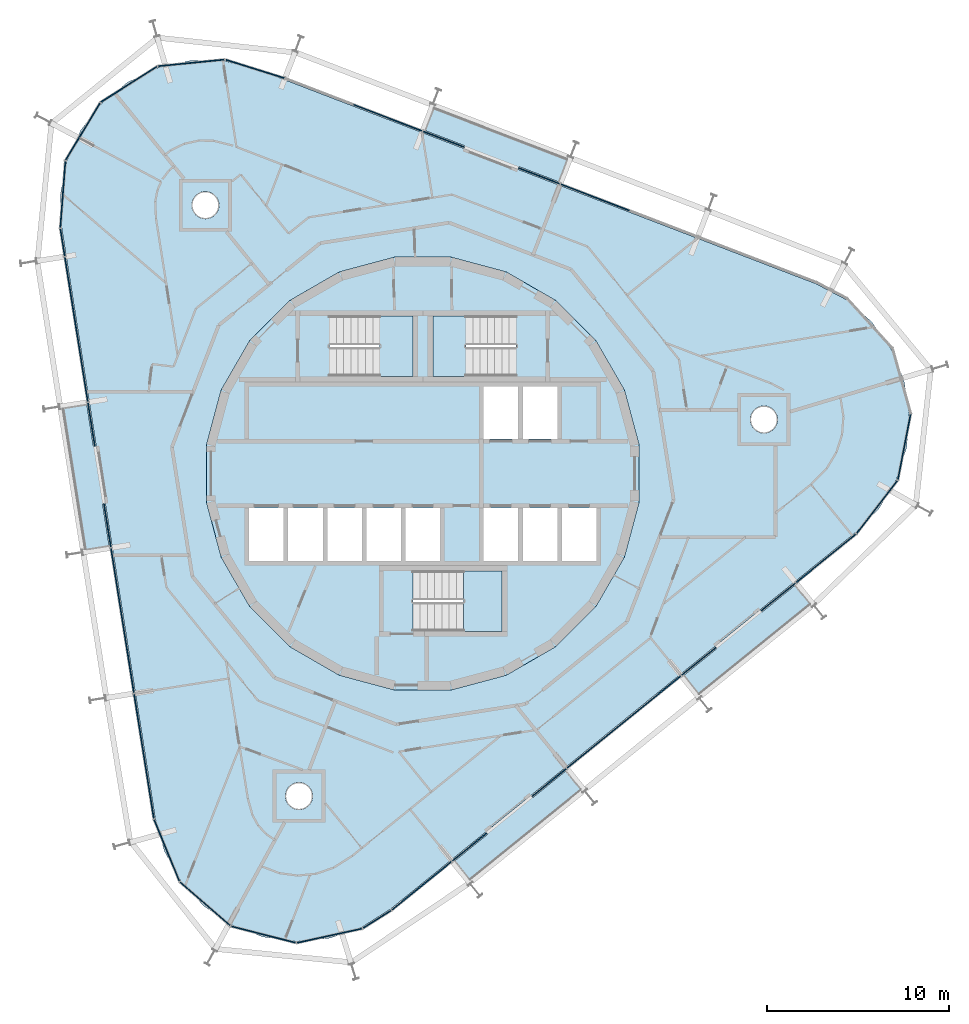
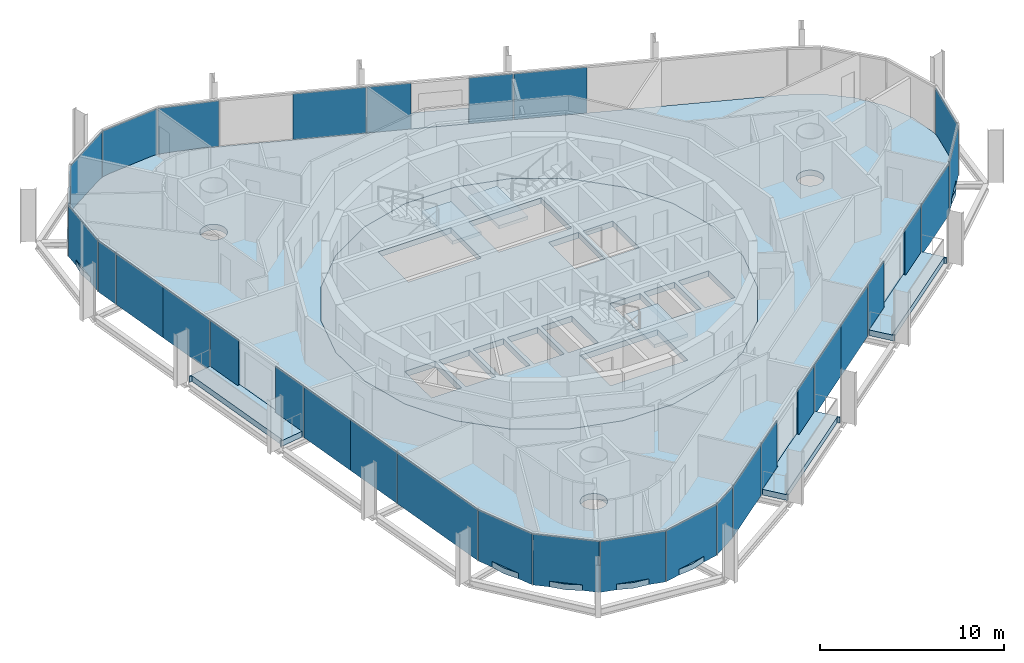
# One storey, part 10 of 17: 32 plates, 9 slabs, 9 elements without a shape of their own.
"""IFC4 building model written with IfcOpenShell, lengths in metres."""

from ifc_helpers import new_model, si_unit, direction, frame, origin, origin_2d, place, context, subcontext, project, spatial, polyline, rectangle, outline, extrude, material, layer, layer_set, type_object, element, aggregate, save


model = new_model("IFC4")

# Units and contexts
model_context = context("Model", 3, precision=1e-05, world=origin(), true_north=direction((0.0, 1.0)))
body_context = subcontext(model_context, "Body", "Model", "MODEL_VIEW")
ifc_project = project(units=[si_unit("LENGTHUNIT", "METRE"), si_unit("AREAUNIT", "SQUARE_METRE"), si_unit("VOLUMEUNIT", "CUBIC_METRE"), si_unit("PLANEANGLEUNIT", "RADIAN"), si_unit("MASSUNIT", "GRAM", prefix="KILO")], contexts=[model_context])

# Site, building, storey
site_placement = place(None, origin())
site = spatial("IfcSite", under=ifc_project, at=site_placement, CompositionType="ELEMENT")
building_placement = place(site_placement, origin())
building = spatial("IfcBuilding", under=site, at=building_placement, Name="Spindle Arch Residences", CompositionType="ELEMENT")
storey_placement = place(building_placement, frame((0.0, 0.0, 270.39990234375)))
storey = spatial("IfcBuildingStorey", under=building, at=storey_placement, Name="L69", CompositionType="ELEMENT", Elevation=270.39990234375)

# Slabs
ifc_material_1 = material(Name="Concrete C40/50", Category="concrete")
ifc_layer_1 = layer(ifc_material_1, 0.3798828125)
ifc_layer_set_1 = layer_set([ifc_layer_1], Name="Balcony slab 380")
slab_type_1 = type_object("IfcSlabType", Name="Balcony slab 380", PredefinedType="FLOOR", material=ifc_layer_set_1)
slab_1_placement = place(storey_placement, frame((0.0, 0.0, -0.3798828125)))
element("IfcSlab", 1, at=slab_1_placement, inside=storey, type_object=slab_type_1, Name="Balcony L69 bay 1", PredefinedType="FLOOR", context=body_context, shape_type="SweptSolid", body=[
    extrude(outline(polyline([(15.258056640625, -12.28125), (15.31640625, -12.234130859375), (15.221923828125, -12.11767578125), (21.28955078125, -7.2041015625), (21.384033203125, -7.32080078125), (21.442138671875, -7.2734375), (20.504638671875, -6.115478515625), (18.65576171875, -7.612548828125), (18.55517578125, -7.48828125), (16.068359375, -9.501953125), (16.1689453125, -9.62646484375), (14.3203125, -11.12353515625), (15.258056640625, -12.28125)])), origin(), (0.0, 0.0, 1.0), 0.3798828125),
])
slab_2_placement = place(storey_placement, frame((0.0, 0.0, -0.3798828125)))
element("IfcSlab", 2, at=slab_2_placement, inside=storey, type_object=slab_type_1, Name="Balcony L69 bay 7", PredefinedType="FLOOR", context=body_context, shape_type="SweptSolid", body=[
    extrude(outline(polyline([(8.052978515625, 17.41748046875), (7.98291015625, 17.4443359375), (7.92919921875, 17.304443359375), (0.64013671875, 20.102294921875), (0.694091796875, 20.242431640625), (0.6240234375, 20.269287109375), (0.090087890625, 18.878173828125), (2.310791015625, 18.025634765625), (2.25341796875, 17.87646484375), (5.240966796875, 16.7294921875), (5.29833984375, 16.87890625), (7.51904296875, 16.0263671875), (8.052978515625, 17.41748046875)])), origin(), (0.0, 0.0, 1.0), 0.3798828125),
])
slab_3_placement = place(storey_placement, frame((0.0, 0.0, -0.3798828125)))
element("IfcSlab", 3, at=slab_3_placement, inside=storey, type_object=slab_type_1, Name="Balcony L69 bay 13", PredefinedType="FLOOR", context=body_context, shape_type="SweptSolid", body=[
    extrude(outline(polyline([(-19.9560546875, 3.603759765625), (-19.9443359375, 3.52978515625), (-19.796142578125, 3.55322265625), (-18.57470703125, -4.158203125), (-18.722900390625, -4.181640625), (-18.711181640625, -4.255859375), (-17.239501953125, -4.022705078125), (-17.611572265625, -1.673095703125), (-17.45361328125, -1.648193359375), (-17.954345703125, 1.512451171875), (-18.1123046875, 1.487548828125), (-18.484375, 3.8369140625), (-19.9560546875, 3.603759765625)])), origin(), (0.0, 0.0, 1.0), 0.3798828125),
])
slab_4_placement = place(storey_placement, frame((0.0, 0.0, -0.3798828125)))
element("IfcSlab", 4, at=slab_4_placement, inside=storey, type_object=slab_type_1, Name="Balcony L69 bay 19", PredefinedType="FLOOR", context=body_context, shape_type="SweptSolid", body=[
    extrude(outline(polyline([(2.656494140625, -22.48583984375), (2.71484375, -22.438720703125), (2.620361328125, -22.322021484375), (8.68798828125, -17.40869140625), (8.782470703125, -17.525146484375), (8.840576171875, -17.47802734375), (7.903076171875, -16.320068359375), (6.05419921875, -17.817138671875), (5.95361328125, -17.69287109375), (3.466796875, -19.70654296875), (3.5673828125, -19.8310546875), (1.71875, -21.327880859375), (2.656494140625, -22.48583984375)])), origin(), (0.0, 0.0, 1.0), 0.3798828125),
])
ifc_material_2 = material(Name="Concrete C50/60", Category="concrete")
ifc_layer_2 = layer(ifc_material_2, 0.3798828125)
ifc_layer_set_2 = layer_set([ifc_layer_2], Name="Core floor slab 380")
slab_type_2 = type_object("IfcSlabType", Name="Core floor slab 380", PredefinedType="FLOOR", material=ifc_layer_set_2)
slab_5_placement = place(storey_placement, frame((0.0, 0.0, -0.3798828125)))
element("IfcSlab", 5, at=slab_5_placement, inside=storey, type_object=slab_type_2, Name="Core floor L69", PredefinedType="FLOOR", context=body_context, shape_type="SweptSolid", body=[
    extrude(outline(polyline([(1.56640625, -11.897216796875), (4.59228515625, -11.086669921875), (7.30517578125, -9.520263671875), (9.520263671875, -7.30517578125), (11.086669921875, -4.59228515625), (11.897216796875, -1.56640625), (11.897216796875, 1.56640625), (11.086669921875, 4.59228515625), (9.520263671875, 7.30517578125), (7.30517578125, 9.520263671875), (4.59228515625, 11.086669921875), (1.56640625, 11.897216796875), (-1.56640625, 11.897216796875), (-4.59228515625, 11.086669921875), (-7.30517578125, 9.520263671875), (-9.520263671875, 7.30517578125), (-11.086669921875, 4.59228515625), (-11.897216796875, 1.56640625), (-11.897216796875, -1.56640625), (-11.086669921875, -4.59228515625), (-9.520263671875, -7.30517578125), (-7.30517578125, -9.520263671875), (-4.59228515625, -11.086669921875), (-1.56640625, -11.897216796875), (1.56640625, -11.897216796875)]), holes=[polyline([(3.35009765625, 1.89990234375), (5.25, 1.89990234375), (5.25, 4.800048828125), (3.35009765625, 4.800048828125), (3.35009765625, 1.89990234375)]), polyline([(5.5, 1.89990234375), (7.39990234375, 1.89990234375), (7.39990234375, 4.800048828125), (5.5, 4.800048828125), (5.5, 1.89990234375)]), polyline([(-9.550048828125, -4.800048828125), (-7.64990234375, -4.800048828125), (-7.64990234375, -1.89990234375), (-9.550048828125, -1.89990234375), (-9.550048828125, -4.800048828125)]), polyline([(-7.39990234375, -4.800048828125), (-5.5, -4.800048828125), (-5.5, -1.89990234375), (-7.39990234375, -1.89990234375), (-7.39990234375, -4.800048828125)]), polyline([(-5.25, -4.800048828125), (-3.35009765625, -4.800048828125), (-3.35009765625, -1.89990234375), (-5.25, -1.89990234375), (-5.25, -4.800048828125)]), polyline([(-3.10009765625, -4.800048828125), (-1.199951171875, -4.800048828125), (-1.199951171875, -1.89990234375), (-3.10009765625, -1.89990234375), (-3.10009765625, -4.800048828125)]), polyline([(-0.949951171875, -4.800048828125), (0.949951171875, -4.800048828125), (0.949951171875, -1.89990234375), (-0.949951171875, -1.89990234375), (-0.949951171875, -4.800048828125)]), polyline([(3.35009765625, -4.800048828125), (5.25, -4.800048828125), (5.25, -1.89990234375), (3.35009765625, -1.89990234375), (3.35009765625, -4.800048828125)]), polyline([(5.5, -4.800048828125), (7.39990234375, -4.800048828125), (7.39990234375, -1.89990234375), (5.5, -1.89990234375), (5.5, -4.800048828125)]), polyline([(7.64990234375, -4.800048828125), (9.550048828125, -4.800048828125), (9.550048828125, -1.89990234375), (7.64990234375, -1.89990234375), (7.64990234375, -4.800048828125)]), polyline([(5.1298828125, 8.669921875), (0.550048828125, 8.669921875), (0.550048828125, 5.35009765625), (5.1298828125, 5.35009765625), (5.1298828125, 8.669921875)]), polyline([(-5.1298828125, 5.35009765625), (-0.550048828125, 5.35009765625), (-0.550048828125, 8.669921875), (-5.1298828125, 8.669921875), (-5.1298828125, 5.35009765625)]), polyline([(-0.530029296875, -8.669921875), (4.35009765625, -8.669921875), (4.35009765625, -5.35009765625), (-0.530029296875, -5.35009765625), (-0.530029296875, -8.669921875)])]), origin(), (0.0, 0.0, 1.0), 0.3798828125),
])

# Stair, slab
ifc_material_3 = material(Name="Concrete C50/60", Category="concrete")
stair_type = type_object("IfcStairType", Name="Exit stair 16 risers", PredefinedType="HALF_TURN_STAIR", material=ifc_material_3)
stair_1_placement = place(storey_placement, origin())
stair_1 = element("IfcStair", 6, at=stair_1_placement, inside=storey, type_object=stair_type, Name="L69 Exit stair ST1", PredefinedType="HALF_TURN_STAIR")
ifc_material_4 = material(Name="Concrete C50/60", Category="concrete")
ifc_layer_3 = layer(ifc_material_4, 0.219970703125)
ifc_layer_set_3 = layer_set([ifc_layer_3], Name="Exit stair landing 220")
slab_type_3 = type_object("IfcSlabType", Name="Exit stair landing 220", PredefinedType="LANDING", material=ifc_layer_set_3)
slab_6_placement = place(storey_placement, frame((0.0, 0.0, 1.530029296875)))
slab_6 = element("IfcSlab", 7, at=slab_6_placement, type_object=slab_type_3, Name="ST1 landing 1", PredefinedType="LANDING", context=body_context, shape_type="SweptSolid", body=[
    extrude(outline(polyline([(2.3701171875, 8.669921875), (0.550048828125, 8.669921875), (0.550048828125, 5.35009765625), (2.3701171875, 5.35009765625), (2.3701171875, 8.669921875)])), origin(), (0.0, 0.0, 1.0), 0.219970703125),
])
aggregate(stair_1, [slab_6])

stair_2_placement = place(storey_placement, origin())
stair_2 = element("IfcStair", 8, at=stair_2_placement, inside=storey, type_object=stair_type, Name="L69 Exit stair ST2", PredefinedType="HALF_TURN_STAIR")
slab_7_placement = place(storey_placement, frame((0.0, 0.0, 1.530029296875)))
slab_7 = element("IfcSlab", 9, at=slab_7_placement, type_object=slab_type_3, Name="ST2 landing 1", PredefinedType="LANDING", context=body_context, shape_type="SweptSolid", body=[
    extrude(outline(polyline([(-2.3701171875, 5.35009765625), (-0.550048828125, 5.35009765625), (-0.550048828125, 8.669921875), (-2.3701171875, 8.669921875), (-2.3701171875, 5.35009765625)])), origin(), (0.0, 0.0, 1.0), 0.219970703125),
])
aggregate(stair_2, [slab_7])

stair_3_placement = place(storey_placement, origin())
stair_3 = element("IfcStair", 10, at=stair_3_placement, inside=storey, type_object=stair_type, Name="L69 Exit stair ST3", PredefinedType="HALF_TURN_STAIR")
slab_8_placement = place(storey_placement, frame((0.0, 0.0, 1.530029296875)))
slab_8 = element("IfcSlab", 11, at=slab_8_placement, type_object=slab_type_3, Name="ST3 landing 1", PredefinedType="LANDING", context=body_context, shape_type="SweptSolid", body=[
    extrude(outline(polyline([(2.22998046875, -8.669921875), (4.35009765625, -8.669921875), (4.35009765625, -5.35009765625), (2.22998046875, -5.35009765625), (2.22998046875, -8.669921875)])), origin(), (0.0, 0.0, 1.0), 0.219970703125),
])
aggregate(stair_3, [slab_8])

# Slab
ifc_material_5 = material(Name="Concrete C40/50", Category="concrete")
ifc_layer_4 = layer(ifc_material_5, 0.3798828125)
ifc_layer_set_4 = layer_set([ifc_layer_4], Name="Floor slab 380")
slab_type_4 = type_object("IfcSlabType", Name="Floor slab 380", PredefinedType="FLOOR", material=ifc_layer_set_4)
slab_9_placement = place(storey_placement, frame((0.0, 0.0, -0.3798828125)))
element("IfcSlab", 12, at=slab_9_placement, inside=storey, type_object=slab_type_4, Name="Floor slab L69", PredefinedType="FLOOR", context=body_context, shape_type="SweptSolid", body=[
    extrude(outline(polyline([(-3.341552734375, -24.9423828125), (-5.097900390625, -25.547119140625), (-6.9462890625, -25.73046875), (-8.787109375, -25.482666015625), (-10.521240234375, -24.81689453125), (-12.054931640625, -23.769287109375), (-13.305908203125, -22.396240234375), (-14.20654296875, -20.771484375), (-14.7080078125, -18.983154296875), (-19.854248046875, 13.509033203125), (-19.929931640625, 15.364990234375), (-19.575439453125, 17.188232421875), (-18.81005859375, 18.880859375), (-17.675048828125, 20.35107421875), (-16.231689453125, 21.52001953125), (-14.557373046875, 22.32470703125), (-12.74267578125, 22.721435546875), (-10.885498046875, 22.68896484375), (-9.0859375, 22.22900390625), (21.626220703125, 10.439697265625), (23.271484375, 9.577392578125), (24.67333984375, 8.358642578125), (25.75634765625, 6.849609375), (26.462158203125, 5.131591796875), (26.752685546875, 3.296875), (26.6123046875, 1.444580078125), (26.048583984375, -0.3251953125), (25.092041015625, -1.917236328125), (23.7939453125, -3.24609375), (11.010986328125, -13.597412109375), (-1.77197265625, -23.94873046875), (-3.341552734375, -24.9423828125)]), holes=[polyline([(7.30517578125, -9.520263671875), (9.520263671875, -7.30517578125), (11.086669921875, -4.59228515625), (11.897216796875, -1.56640625), (11.897216796875, 1.56640625), (11.086669921875, 4.59228515625), (9.520263671875, 7.30517578125), (7.30517578125, 9.520263671875), (4.59228515625, 11.086669921875), (1.56640625, 11.897216796875), (-1.56640625, 11.897216796875), (-4.59228515625, 11.086669921875), (-7.30517578125, 9.520263671875), (-9.520263671875, 7.30517578125), (-11.086669921875, 4.59228515625), (-11.897216796875, 1.56640625), (-11.897216796875, -1.56640625), (-11.086669921875, -4.59228515625), (-9.520263671875, -7.30517578125), (-7.30517578125, -9.520263671875), (-4.59228515625, -11.086669921875), (-1.56640625, -11.897216796875), (1.56640625, -11.897216796875), (4.59228515625, -11.086669921875), (7.30517578125, -9.520263671875)]), polyline([(-6.2763671875, -18.261962890625), (-6.18310546875, -18.1484375), (-6.11376953125, -18.018798828125), (-6.071044921875, -17.8779296875), (-6.056640625, -17.731689453125), (-6.071044921875, -17.58544921875), (-6.11376953125, -17.444580078125), (-6.18310546875, -17.31494140625), (-6.2763671875, -17.201416015625), (-6.389892578125, -17.108154296875), (-6.51953125, -17.038818359375), (-6.660400390625, -16.99609375), (-6.806640625, -16.981689453125), (-6.952880859375, -16.99609375), (-7.093505859375, -17.038818359375), (-7.223388671875, -17.108154296875), (-7.3369140625, -17.201416015625), (-7.43017578125, -17.31494140625), (-7.49951171875, -17.444580078125), (-7.542236328125, -17.58544921875), (-7.556640625, -17.731689453125), (-7.542236328125, -17.8779296875), (-7.49951171875, -18.018798828125), (-7.43017578125, -18.1484375), (-7.3369140625, -18.261962890625), (-7.223388671875, -18.355224609375), (-7.093505859375, -18.424560546875), (-6.952880859375, -18.46728515625), (-6.806640625, -18.481689453125), (-6.660400390625, -18.46728515625), (-6.51953125, -18.424560546875), (-6.389892578125, -18.355224609375), (-6.2763671875, -18.261962890625)]), polyline([(-11.3291015625, 14.34375), (-11.260009765625, 14.473388671875), (-11.21728515625, 14.6142578125), (-11.202880859375, 14.760498046875), (-11.21728515625, 14.90673828125), (-11.260009765625, 15.047607421875), (-11.3291015625, 15.17724609375), (-11.422607421875, 15.290771484375), (-11.5361328125, 15.384033203125), (-11.665771484375, 15.453369140625), (-11.806396484375, 15.49609375), (-11.952880859375, 15.510498046875), (-12.09912109375, 15.49609375), (-12.23974609375, 15.453369140625), (-12.369384765625, 15.384033203125), (-12.483154296875, 15.290771484375), (-12.576416015625, 15.17724609375), (-12.645751953125, 15.047607421875), (-12.6884765625, 14.90673828125), (-12.702880859375, 14.760498046875), (-12.6884765625, 14.6142578125), (-12.645751953125, 14.473388671875), (-12.576416015625, 14.34375), (-12.483154296875, 14.230224609375), (-12.369384765625, 14.136962890625), (-12.23974609375, 14.067626953125), (-12.09912109375, 14.02490234375), (-11.952880859375, 14.010498046875), (-11.806396484375, 14.02490234375), (-11.665771484375, 14.067626953125), (-11.5361328125, 14.136962890625), (-11.422607421875, 14.230224609375), (-11.3291015625, 14.34375)]), polyline([(19.383056640625, 2.554443359375), (19.452392578125, 2.68408203125), (19.4951171875, 2.824951171875), (19.509521484375, 2.97119140625), (19.4951171875, 3.117431640625), (19.452392578125, 3.25830078125), (19.383056640625, 3.387939453125), (19.289794921875, 3.50146484375), (19.176025390625, 3.5947265625), (19.04638671875, 3.6640625), (18.90576171875, 3.706787109375), (18.759521484375, 3.72119140625), (18.613037109375, 3.706787109375), (18.472412109375, 3.6640625), (18.3427734375, 3.5947265625), (18.22900390625, 3.50146484375), (18.1357421875, 3.387939453125), (18.06640625, 3.25830078125), (18.023681640625, 3.117431640625), (18.009521484375, 2.97119140625), (18.023681640625, 2.824951171875), (18.06640625, 2.68408203125), (18.1357421875, 2.554443359375), (18.22900390625, 2.44091796875), (18.3427734375, 2.34765625), (18.472412109375, 2.2783203125), (18.613037109375, 2.235595703125), (18.759521484375, 2.22119140625), (18.90576171875, 2.235595703125), (19.04638671875, 2.2783203125), (19.176025390625, 2.34765625), (19.289794921875, 2.44091796875), (19.383056640625, 2.554443359375)])]), origin(), (0.0, 0.0, 1.0), 0.3798828125),
])

# Curtain wall, plates
ifc_material_6 = material(Name="Aluminium bronze unitised frame with tinted glass", Category="aluminium")
ifc_layer_5 = layer(ifc_material_6, 0.159912109375)
ifc_layer_set_5 = layer_set([ifc_layer_5], Name="CW-D corner wall on the fillet arcs")
curtain_wall_type_1 = type_object("IfcCurtainWallType", Name="CW-D corner wall on the fillet arcs", PredefinedType="NOTDEFINED", material=ifc_layer_set_5)
curtain_wall_1_placement = place(storey_placement, origin())
curtain_wall_1 = element("IfcCurtainWall", 13, at=curtain_wall_1_placement, inside=storey, type_object=curtain_wall_type_1, Name="CW-D L69 run 1", PredefinedType="NOTDEFINED")
ifc_material_7 = material(Name="Tinted double glazing over aluminium faced non-combustible spandrel zone (K0)", Category="aluminium")
ifc_layer_6 = layer(ifc_material_7, 0.06005859375)
ifc_layer_set_6 = layer_set([ifc_layer_6], Name="Unitised glass panel with E 60 spandrel zone")
plate_type = type_object("IfcPlateType", Name="Unitised glass panel with E 60 spandrel zone", PredefinedType="CURTAIN_PANEL", material=ifc_layer_set_6)
plate_1_placement = place(storey_placement, frame((22.178466796875, -4.6572265625, -0.3798828125), z_axis=(0.0, 0.0, 1.0), x_axis=(0.777145961457, 0.62932039105, 0.0)))
plate_1 = element("IfcPlate", 14, at=plate_1_placement, type_object=plate_type, Name="CW-D unit 00", PredefinedType="CURTAIN_PANEL", context=body_context, shape_type="SweptSolid", body=[
    extrude(rectangle(XDim=4.227294921875, YDim=0.06005859375, at=origin_2d()), origin(), (0.0, 0.0, 1.0), 3.3798828125),
])
plate_2_placement = place(storey_placement, frame((24.98291015625, -1.833251953125, -0.3798828125), z_axis=(0.0, 0.0, 1.0), x_axis=(0.611066622764, 0.791579170105, 0.0)))
plate_2 = element("IfcPlate", 15, at=plate_2_placement, type_object=plate_type, Name="CW-D unit 01", PredefinedType="CURTAIN_PANEL", context=body_context, shape_type="SweptSolid", body=[
    extrude(rectangle(XDim=3.666748046875, YDim=0.06005859375, at=origin_2d()), origin(), (0.0, 0.0, 1.0), 3.3798828125),
])
plate_3_placement = place(storey_placement, frame((26.47705078125, 1.470947265625, -0.3798828125), z_axis=(0.0, 0.0, 1.0), x_axis=(0.190808994811, 0.981627183558, 0.0)))
plate_3 = element("IfcPlate", 16, at=plate_3_placement, type_object=plate_type, Name="CW-D unit 02", PredefinedType="CURTAIN_PANEL", context=body_context, shape_type="SweptSolid", body=[
    extrude(rectangle(XDim=3.666748046875, YDim=0.06005859375, at=origin_2d()), origin(), (0.0, 0.0, 1.0), 3.3798828125),
])
aggregate(curtain_wall_1, [plate_1, plate_2, plate_3])

ifc_material_8 = material(Name="Aluminium bronze unitised frame with tinted glass", Category="aluminium")
ifc_layer_7 = layer(ifc_material_8, 0.159912109375)
ifc_layer_set_7 = layer_set([ifc_layer_7], Name="CW-C typical residential unitised wall")
curtain_wall_type_2 = type_object("IfcCurtainWallType", Name="CW-C typical residential unitised wall", PredefinedType="NOTDEFINED", material=ifc_layer_set_7)
curtain_wall_2_placement = place(storey_placement, origin())
curtain_wall_2 = element("IfcCurtainWall", 17, at=curtain_wall_2_placement, inside=storey, type_object=curtain_wall_type_2, Name="CW-C L69 run 2", PredefinedType="NOTDEFINED")
plate_4_placement = place(storey_placement, frame((9.466796875, 15.193115234375, -0.3798828125), z_axis=(0.0, 0.0, 1.0), x_axis=(-0.933580426497, 0.358367949545, 0.0)))
plate_4 = element("IfcPlate", 18, at=plate_4_placement, type_object=plate_type, Name="CW-C unit 05B", PredefinedType="CURTAIN_PANEL", context=body_context, shape_type="SweptSolid", body=[
    extrude(rectangle(XDim=4.023681640625, YDim=0.06005859375, at=origin_2d()), origin(), (0.0, 0.0, 1.0), 3.3798828125),
])
plate_5_placement = place(storey_placement, frame((6.40087890625, 16.369873046875, -0.3798828125), z_axis=(0.0, 0.0, 1.0), x_axis=(-0.933580426497, 0.358367949545, 0.0)))
plate_5 = element("IfcPlate", 19, at=plate_5_placement, type_object=plate_type, Name="CW-C unit 06L", PredefinedType="CURTAIN_PANEL", context=body_context, shape_type="SweptSolid", body=[
    extrude(rectangle(XDim=2.423828125, YDim=0.06005859375, at=origin_2d()), origin(), (0.0, 0.0, 1.0), 3.3798828125),
])
plate_6_placement = place(storey_placement, frame((1.150634765625, 18.38525390625, -0.3798828125), z_axis=(0.0, 0.0, 1.0), x_axis=(-0.933580426497, 0.358367949545, 0.0)))
plate_6 = element("IfcPlate", 20, at=plate_6_placement, type_object=plate_type, Name="CW-C unit 06R", PredefinedType="CURTAIN_PANEL", context=body_context, shape_type="SweptSolid", body=[
    extrude(rectangle(XDim=2.423828125, YDim=0.06005859375, at=origin_2d()), origin(), (0.0, 0.0, 1.0), 3.3798828125),
])
plate_7_placement = place(storey_placement, frame((-1.9150390625, 19.562255859375, -0.3798828125), z_axis=(0.0, 0.0, 1.0), x_axis=(-0.933580426497, 0.358367949545, 0.0)))
plate_7 = element("IfcPlate", 21, at=plate_7_placement, type_object=plate_type, Name="CW-C unit 07A", PredefinedType="CURTAIN_PANEL", context=body_context, shape_type="SweptSolid", body=[
    extrude(rectangle(XDim=4.023681640625, YDim=0.06005859375, at=origin_2d()), origin(), (0.0, 0.0, 1.0), 3.3798828125),
])
aggregate(curtain_wall_2, [plate_4, plate_5, plate_6, plate_7])

curtain_wall_3_placement = place(storey_placement, origin())
curtain_wall_3 = element("IfcCurtainWall", 22, at=curtain_wall_3_placement, inside=storey, type_object=curtain_wall_type_1, Name="CW-D L69 run 3", PredefinedType="NOTDEFINED")
plate_8_placement = place(storey_placement, frame((-9.226318359375, 22.252197265625, -0.3798828125), z_axis=(0.0, 0.0, 1.0), x_axis=(-0.954314920262, 0.298802665594, 0.0)))
plate_8 = element("IfcPlate", 23, at=plate_8_placement, type_object=plate_type, Name="CW-D unit 00", PredefinedType="CURTAIN_PANEL", context=body_context, shape_type="SweptSolid", body=[
    extrude(rectangle(XDim=3.39501953125, YDim=0.06005859375, at=origin_2d()), origin(), (0.0, 0.0, 1.0), 3.3798828125),
])
plate_9_placement = place(storey_placement, frame((-12.729248046875, 22.584228515625, -0.3798828125), z_axis=(0.0, 0.0, 1.0), x_axis=(-0.995113183485, -0.098740832762, 0.0)))
plate_9 = element("IfcPlate", 24, at=plate_9_placement, type_object=plate_type, Name="CW-D unit 01", PredefinedType="CURTAIN_PANEL", context=body_context, shape_type="SweptSolid", body=[
    extrude(rectangle(XDim=3.666748046875, YDim=0.06005859375, at=origin_2d()), origin(), (0.0, 0.0, 1.0), 3.3798828125),
])
plate_10_placement = place(storey_placement, frame((-16.157958984375, 21.403564453125, -0.3798828125), z_axis=(0.0, 0.0, 1.0), x_axis=(-0.844950814707, -0.534844015322, 0.0)))
plate_10 = element("IfcPlate", 25, at=plate_10_placement, type_object=plate_type, Name="CW-D unit 02", PredefinedType="CURTAIN_PANEL", context=body_context, shape_type="SweptSolid", body=[
    extrude(rectangle(XDim=3.666748046875, YDim=0.06005859375, at=origin_2d()), origin(), (0.0, 0.0, 1.0), 3.3798828125),
])
plate_11_placement = place(storey_placement, frame((-18.692138671875, 18.809814453125, -0.3798828125), z_axis=(0.0, 0.0, 1.0), x_axis=(-0.515038072875, -0.857167301925, 0.0)))
plate_11 = element("IfcPlate", 26, at=plate_11_placement, type_object=plate_type, Name="CW-D unit 03", PredefinedType="CURTAIN_PANEL", context=body_context, shape_type="SweptSolid", body=[
    extrude(rectangle(XDim=3.666748046875, YDim=0.06005859375, at=origin_2d()), origin(), (0.0, 0.0, 1.0), 3.3798828125),
])
plate_12_placement = place(storey_placement, frame((-19.79248046875, 15.3544921875, -0.3798828125), z_axis=(0.0, 0.0, 1.0), x_axis=(-0.07555884997, -0.997141344139, 0.0)))
plate_12 = element("IfcPlate", 27, at=plate_12_placement, type_object=plate_type, Name="CW-D unit 04", PredefinedType="CURTAIN_PANEL", context=body_context, shape_type="SweptSolid", body=[
    extrude(rectangle(XDim=3.666748046875, YDim=0.06005859375, at=origin_2d()), origin(), (0.0, 0.0, 1.0), 3.3798828125),
])
plate_13_placement = place(storey_placement, frame((-19.809326171875, 12.7138671875, -0.3798828125), z_axis=(0.0, 0.0, 1.0), x_axis=(0.15643446504, -0.987688340595, 0.0)))
plate_13 = element("IfcPlate", 28, at=plate_13_placement, type_object=plate_type, Name="CW-D unit 05", PredefinedType="CURTAIN_PANEL", context=body_context, shape_type="SweptSolid", body=[
    extrude(rectangle(XDim=1.524658203125, YDim=0.06005859375, at=origin_2d()), origin(), (0.0, 0.0, 1.0), 3.3798828125),
])
aggregate(curtain_wall_3, [plate_8, plate_9, plate_10, plate_11, plate_12, plate_13])

curtain_wall_4_placement = place(storey_placement, origin())
curtain_wall_4 = element("IfcCurtainWall", 29, at=curtain_wall_4_placement, inside=storey, type_object=curtain_wall_type_2, Name="CW-C L69 run 4", PredefinedType="NOTDEFINED")
plate_14_placement = place(storey_placement, frame((-19.365966796875, 9.91455078125, -0.3798828125), z_axis=(0.0, 0.0, 1.0), x_axis=(0.15643446504, -0.987688340595, 0.0)))
plate_14 = element("IfcPlate", 30, at=plate_14_placement, type_object=plate_type, Name="CW-C unit 11A", PredefinedType="CURTAIN_PANEL", context=body_context, shape_type="SweptSolid", body=[
    extrude(rectangle(XDim=4.023681640625, YDim=0.06005859375, at=origin_2d()), origin(), (0.0, 0.0, 1.0), 3.3798828125),
])
plate_15_placement = place(storey_placement, frame((-18.736572265625, 5.9404296875, -0.3798828125), z_axis=(0.0, 0.0, 1.0), x_axis=(0.15643446504, -0.987688340595, 0.0)))
plate_15 = element("IfcPlate", 31, at=plate_15_placement, type_object=plate_type, Name="CW-C unit 11B", PredefinedType="CURTAIN_PANEL", context=body_context, shape_type="SweptSolid", body=[
    extrude(rectangle(XDim=4.023681640625, YDim=0.06005859375, at=origin_2d()), origin(), (0.0, 0.0, 1.0), 3.3798828125),
])
plate_16_placement = place(storey_placement, frame((-18.222900390625, 2.697021484375, -0.3798828125), z_axis=(0.0, 0.0, 1.0), x_axis=(0.15643446504, -0.987688340595, 0.0)))
plate_16 = element("IfcPlate", 32, at=plate_16_placement, type_object=plate_type, Name="CW-C unit 12L", PredefinedType="CURTAIN_PANEL", context=body_context, shape_type="SweptSolid", body=[
    extrude(rectangle(XDim=2.423828125, YDim=0.06005859375, at=origin_2d()), origin(), (0.0, 0.0, 1.0), 3.3798828125),
])
plate_17_placement = place(storey_placement, frame((-17.343017578125, -2.857666015625, -0.3798828125), z_axis=(0.0, 0.0, 1.0), x_axis=(0.15643446504, -0.987688340595, 0.0)))
plate_17 = element("IfcPlate", 33, at=plate_17_placement, type_object=plate_type, Name="CW-C unit 12R", PredefinedType="CURTAIN_PANEL", context=body_context, shape_type="SweptSolid", body=[
    extrude(rectangle(XDim=2.423828125, YDim=0.06005859375, at=origin_2d()), origin(), (0.0, 0.0, 1.0), 3.3798828125),
])
plate_18_placement = place(storey_placement, frame((-16.829345703125, -6.10107421875, -0.3798828125), z_axis=(0.0, 0.0, 1.0), x_axis=(0.15643446504, -0.987688340595, 0.0)))
plate_18 = element("IfcPlate", 34, at=plate_18_placement, type_object=plate_type, Name="CW-C unit 13A", PredefinedType="CURTAIN_PANEL", context=body_context, shape_type="SweptSolid", body=[
    extrude(rectangle(XDim=4.023681640625, YDim=0.06005859375, at=origin_2d()), origin(), (0.0, 0.0, 1.0), 3.3798828125),
])
plate_19_placement = place(storey_placement, frame((-16.199951171875, -10.0751953125, -0.3798828125), z_axis=(0.0, 0.0, 1.0), x_axis=(0.15643446504, -0.987688340595, 0.0)))
plate_19 = element("IfcPlate", 35, at=plate_19_placement, type_object=plate_type, Name="CW-C unit 13B", PredefinedType="CURTAIN_PANEL", context=body_context, shape_type="SweptSolid", body=[
    extrude(rectangle(XDim=4.023681640625, YDim=0.06005859375, at=origin_2d()), origin(), (0.0, 0.0, 1.0), 3.3798828125),
])
aggregate(curtain_wall_4, [plate_14, plate_15, plate_16, plate_17, plate_18, plate_19])

curtain_wall_5_placement = place(storey_placement, origin())
curtain_wall_5 = element("IfcCurtainWall", 36, at=curtain_wall_5_placement, inside=storey, type_object=curtain_wall_type_1, Name="CW-D L69 run 5", PredefinedType="NOTDEFINED")
plate_20_placement = place(storey_placement, frame((-15.333740234375, -15.5439453125, -0.3798828125), z_axis=(0.0, 0.0, 1.0), x_axis=(0.15643446504, -0.987688340595, 0.0)))
plate_20 = element("IfcPlate", 37, at=plate_20_placement, type_object=plate_type, Name="CW-D unit 00", PredefinedType="CURTAIN_PANEL", context=body_context, shape_type="SweptSolid", body=[
    extrude(rectangle(XDim=6.9296875, YDim=0.06005859375, at=origin_2d()), origin(), (0.0, 0.0, 1.0), 3.3798828125),
])
plate_21_placement = place(storey_placement, frame((-14.0791015625, -20.71923828125, -0.3798828125), z_axis=(0.0, 0.0, 1.0), x_axis=(0.379994360085, -0.92498880334, 0.0)))
plate_21 = element("IfcPlate", 38, at=plate_21_placement, type_object=plate_type, Name="CW-D unit 01", PredefinedType="CURTAIN_PANEL", context=body_context, shape_type="SweptSolid", body=[
    extrude(rectangle(XDim=3.666748046875, YDim=0.06005859375, at=origin_2d()), origin(), (0.0, 0.0, 1.0), 3.3798828125),
])
plate_22_placement = place(storey_placement, frame((-11.964599609375, -23.665283203125, -0.3798828125), z_axis=(0.0, 0.0, 1.0), x_axis=(0.754709583074, -0.656059025711, 0.0)))
plate_22 = element("IfcPlate", 39, at=plate_22_placement, type_object=plate_type, Name="CW-D unit 02", PredefinedType="CURTAIN_PANEL", context=body_context, shape_type="SweptSolid", body=[
    extrude(rectangle(XDim=3.666748046875, YDim=0.06005859375, at=origin_2d()), origin(), (0.0, 0.0, 1.0), 3.3798828125),
])
plate_23_placement = place(storey_placement, frame((-8.7529296875, -25.34912109375, -0.3798828125), z_axis=(0.0, 0.0, 1.0), x_axis=(0.968871869392, -0.247562720743, 0.0)))
plate_23 = element("IfcPlate", 40, at=plate_23_placement, type_object=plate_type, Name="CW-D unit 03", PredefinedType="CURTAIN_PANEL", context=body_context, shape_type="SweptSolid", body=[
    extrude(rectangle(XDim=3.666748046875, YDim=0.06005859375, at=origin_2d()), origin(), (0.0, 0.0, 1.0), 3.3798828125),
])
plate_24_placement = place(storey_placement, frame((-5.127197265625, -25.412353515625, -0.3798828125), z_axis=(0.0, 0.0, 1.0), x_axis=(0.976921473489, 0.213598770213, 0.0)))
plate_24 = element("IfcPlate", 41, at=plate_24_placement, type_object=plate_type, Name="CW-D unit 04", PredefinedType="CURTAIN_PANEL", context=body_context, shape_type="SweptSolid", body=[
    extrude(rectangle(XDim=3.666748046875, YDim=0.06005859375, at=origin_2d()), origin(), (0.0, 0.0, 1.0), 3.3798828125),
])
plate_25_placement = place(storey_placement, frame((-2.51416015625, -24.5126953125, -0.3798828125), z_axis=(0.0, 0.0, 1.0), x_axis=(0.844950816658, 0.53484401224, 0.0)))
plate_25 = element("IfcPlate", 42, at=plate_25_placement, type_object=plate_type, Name="CW-D unit 05", PredefinedType="CURTAIN_PANEL", context=body_context, shape_type="SweptSolid", body=[
    extrude(rectangle(XDim=1.816162109375, YDim=0.06005859375, at=origin_2d()), origin(), (0.0, 0.0, 1.0), 3.3798828125),
])
plate_26_placement = place(storey_placement, frame((-0.0556640625, -22.662109375, -0.3798828125), z_axis=(0.0, 0.0, 1.0), x_axis=(0.777145961457, 0.62932039105, 0.0)))
plate_26 = element("IfcPlate", 43, at=plate_26_placement, type_object=plate_type, Name="CW-D unit 06", PredefinedType="CURTAIN_PANEL", context=body_context, shape_type="SweptSolid", body=[
    extrude(rectangle(XDim=4.227294921875, YDim=0.06005859375, at=origin_2d()), origin(), (0.0, 0.0, 1.0), 3.3798828125),
])
aggregate(curtain_wall_5, [plate_20, plate_21, plate_22, plate_23, plate_24, plate_25, plate_26])

curtain_wall_6_placement = place(storey_placement, origin())
curtain_wall_6 = element("IfcCurtainWall", 44, at=curtain_wall_6_placement, inside=storey, type_object=curtain_wall_type_2, Name="CW-C L69 run 6", PredefinedType="NOTDEFINED")
plate_27_placement = place(storey_placement, frame((2.5751953125, -20.531494140625, -0.3798828125), z_axis=(0.0, 0.0, 1.0), x_axis=(0.777145961457, 0.62932039105, 0.0)))
plate_27 = element("IfcPlate", 45, at=plate_27_placement, type_object=plate_type, Name="CW-C unit 18L", PredefinedType="CURTAIN_PANEL", context=body_context, shape_type="SweptSolid", body=[
    extrude(rectangle(XDim=2.423828125, YDim=0.06005859375, at=origin_2d()), origin(), (0.0, 0.0, 1.0), 3.3798828125),
])
plate_28_placement = place(storey_placement, frame((6.94580078125, -16.9921875, -0.3798828125), z_axis=(0.0, 0.0, 1.0), x_axis=(0.777145961457, 0.62932039105, 0.0)))
plate_28 = element("IfcPlate", 46, at=plate_28_placement, type_object=plate_type, Name="CW-C unit 18R", PredefinedType="CURTAIN_PANEL", context=body_context, shape_type="SweptSolid", body=[
    extrude(rectangle(XDim=2.423828125, YDim=0.06005859375, at=origin_2d()), origin(), (0.0, 0.0, 1.0), 3.3798828125),
])
plate_29_placement = place(storey_placement, frame((9.497802734375, -14.92578125, -0.3798828125), z_axis=(0.0, 0.0, 1.0), x_axis=(0.777145961457, 0.62932039105, 0.0)))
plate_29 = element("IfcPlate", 47, at=plate_29_placement, type_object=plate_type, Name="CW-C unit 19A", PredefinedType="CURTAIN_PANEL", context=body_context, shape_type="SweptSolid", body=[
    extrude(rectangle(XDim=4.023681640625, YDim=0.06005859375, at=origin_2d()), origin(), (0.0, 0.0, 1.0), 3.3798828125),
])
plate_30_placement = place(storey_placement, frame((12.624755859375, -12.3935546875, -0.3798828125), z_axis=(0.0, 0.0, 1.0), x_axis=(0.777145961457, 0.62932039105, 0.0)))
plate_30 = element("IfcPlate", 48, at=plate_30_placement, type_object=plate_type, Name="CW-C unit 19B", PredefinedType="CURTAIN_PANEL", context=body_context, shape_type="SweptSolid", body=[
    extrude(rectangle(XDim=4.023681640625, YDim=0.06005859375, at=origin_2d()), origin(), (0.0, 0.0, 1.0), 3.3798828125),
])
plate_31_placement = place(storey_placement, frame((15.1767578125, -10.326904296875, -0.3798828125), z_axis=(0.0, 0.0, 1.0), x_axis=(0.777145961457, 0.62932039105, 0.0)))
plate_31 = element("IfcPlate", 49, at=plate_31_placement, type_object=plate_type, Name="CW-C unit 00L", PredefinedType="CURTAIN_PANEL", context=body_context, shape_type="SweptSolid", body=[
    extrude(rectangle(XDim=2.423828125, YDim=0.06005859375, at=origin_2d()), origin(), (0.0, 0.0, 1.0), 3.3798828125),
])
plate_32_placement = place(storey_placement, frame((19.54736328125, -6.787841796875, -0.3798828125), z_axis=(0.0, 0.0, 1.0), x_axis=(0.777145961457, 0.62932039105, 0.0)))
plate_32 = element("IfcPlate", 50, at=plate_32_placement, type_object=plate_type, Name="CW-C unit 00R", PredefinedType="CURTAIN_PANEL", context=body_context, shape_type="SweptSolid", body=[
    extrude(rectangle(XDim=2.423828125, YDim=0.06005859375, at=origin_2d()), origin(), (0.0, 0.0, 1.0), 3.3798828125),
])
aggregate(curtain_wall_6, [plate_27, plate_28, plate_29, plate_30, plate_31, plate_32])

save(model, "model.ifc")
